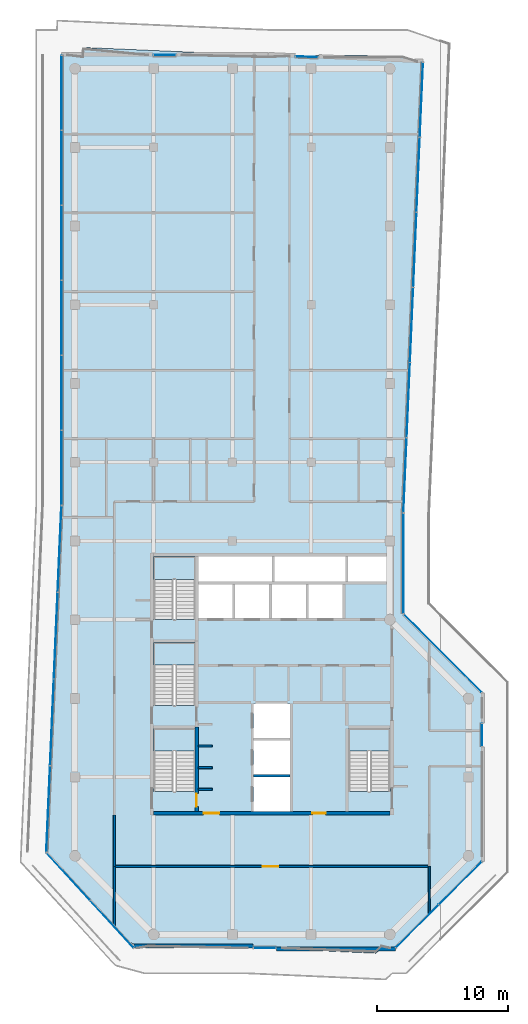
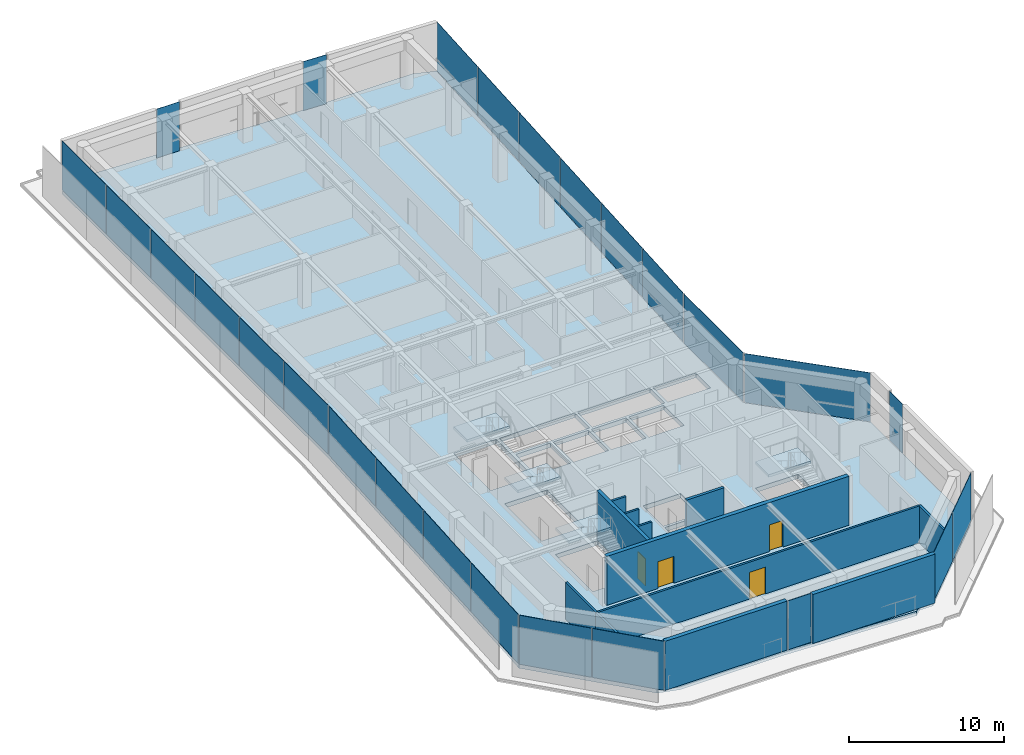
# One storey, part 14 of 19: 26 plates, 12 walls, 5 slabs, 4 doors, 4 openings, 15 elements without a shape of their own.
"""IFC4 building model written with IfcOpenShell, lengths in metres."""

from ifc_helpers import new_model, si_unit, direction, frame, frame_2d, origin, origin_2d, place, context, subcontext, project, spatial, polyline, rectangle, outline, extrude, material, layer, layer_set, type_object, element, fill, aggregate, save


model = new_model("IFC4")

# Units and contexts
model_context = context("Model", 3, precision=1e-05, world=origin(), true_north=direction((0.0, 1.0)))
body_context = subcontext(model_context, "Body", "Model", "MODEL_VIEW")
ifc_project = project(units=[si_unit("LENGTHUNIT", "METRE"), si_unit("AREAUNIT", "SQUARE_METRE"), si_unit("VOLUMEUNIT", "CUBIC_METRE"), si_unit("PLANEANGLEUNIT", "RADIAN"), si_unit("MASSUNIT", "GRAM", prefix="KILO")], contexts=[model_context])

# Site, building, storey
site_placement = place(None, origin())
site = spatial("IfcSite", under=ifc_project, at=site_placement, CompositionType="ELEMENT")
building_placement = place(site_placement, origin())
building = spatial("IfcBuilding", under=site, at=building_placement, Name="Welwitschia Terrace Campus", CompositionType="ELEMENT")
storey_placement = place(building_placement, frame((0.0, 0.0, 276.800048828125)))
storey = spatial("IfcBuildingStorey", under=building, at=storey_placement, Name="L61", CompositionType="ELEMENT", Elevation=276.800048828125)

# Curtain wall, plates
ifc_material_1 = material(Name="Bronze anodised aluminium", Category="aluminium")
ifc_layer_1 = layer(ifc_material_1, 0.1201171875)
ifc_layer_set_1 = layer_set([ifc_layer_1], Name="Bronze anodised aluminium")
curtain_wall_type = type_object("IfcCurtainWallType", Name="Curtain wall CW2 tower 6000", PredefinedType="NOTDEFINED", material=ifc_layer_set_1)
curtain_wall_1_placement = place(storey_placement, origin())
curtain_wall_1 = element("IfcCurtainWall", 1, at=curtain_wall_1_placement, inside=storey, type_object=curtain_wall_type, Name="CW L61.0.0", PredefinedType="NOTDEFINED")
ifc_material_2 = material(Name="Tinted bronze-grey glass", Category="glass")
ifc_layer_2 = layer(ifc_material_2, 0.028076171875)
ifc_layer_set_2 = layer_set([ifc_layer_2], Name="Tinted bronze-grey glass")
plate_type = type_object("IfcPlateType", Name="Glass panel 28 tinted", PredefinedType="CURTAIN_PANEL", material=ifc_layer_set_2)
plate_1_placement = place(storey_placement, frame((-1.175048828125, 25.392822265625, 0.0), z_axis=(0.0, 0.0, 1.0), x_axis=(-0.043619387365, -0.999048221582, 0.0)))
plate_1 = element("IfcPlate", 2, at=plate_1_placement, type_object=plate_type, Name="Panel L61.0.0.0", PredefinedType="CURTAIN_PANEL", context=body_context, shape_type="SweptSolid", body=[
    extrude(rectangle(XDim=6.53173828125, YDim=0.028076171875, at=origin_2d()), origin(), (0.0, 0.0, 1.0), 3.85009765625),
])
plate_2_placement = place(storey_placement, frame((-1.46337890625, 18.792236328125, 0.0), z_axis=(0.0, 0.0, 1.0), x_axis=(-0.043619387365, -0.999048221582, 0.0)))
plate_2 = element("IfcPlate", 3, at=plate_2_placement, type_object=plate_type, Name="Panel L61.0.0.1", PredefinedType="CURTAIN_PANEL", context=body_context, shape_type="SweptSolid", body=[
    extrude(rectangle(XDim=6.561767578125, YDim=0.028076171875, at=origin_2d()), origin(), (0.0, 0.0, 1.0), 3.85009765625),
])
plate_3_placement = place(storey_placement, frame((-1.752197265625, 12.176513671875, 0.0), z_axis=(0.0, 0.0, 1.0), x_axis=(-0.043619387365, -0.999048221582, 0.0)))
plate_3 = element("IfcPlate", 4, at=plate_3_placement, type_object=plate_type, Name="Panel L61.0.0.2", PredefinedType="CURTAIN_PANEL", context=body_context, shape_type="SweptSolid", body=[
    extrude(rectangle(XDim=6.561767578125, YDim=0.028076171875, at=origin_2d()), origin(), (0.0, 0.0, 1.0), 3.85009765625),
])
plate_4_placement = place(storey_placement, frame((-2.040283203125, 5.576171875, 0.0), z_axis=(0.0, 0.0, 1.0), x_axis=(-0.043619387365, -0.999048221582, 0.0)))
plate_4 = element("IfcPlate", 5, at=plate_4_placement, type_object=plate_type, Name="Panel L61.0.0.3", PredefinedType="CURTAIN_PANEL", context=body_context, shape_type="SweptSolid", body=[
    extrude(rectangle(XDim=6.53173828125, YDim=0.028076171875, at=origin_2d()), origin(), (0.0, 0.0, 1.0), 3.85009765625),
])
aggregate(curtain_wall_1, [plate_1, plate_2, plate_3, plate_4])

curtain_wall_2_placement = place(storey_placement, origin())
curtain_wall_2 = element("IfcCurtainWall", 6, at=curtain_wall_2_placement, inside=storey, type_object=curtain_wall_type, Name="CW L61.1.0", PredefinedType="NOTDEFINED")
plate_5_placement = place(storey_placement, frame((-0.5068359375, 0.42138671875, 0.0), z_axis=(0.0, 0.0, 1.0), x_axis=(0.675590207616, -0.73727733681, 0.0)))
plate_5 = element("IfcPlate", 7, at=plate_5_placement, type_object=plate_type, Name="Panel L61.1.0.0", PredefinedType="CURTAIN_PANEL", context=body_context, shape_type="SweptSolid", body=[
    extrude(rectangle(XDim=4.849365234375, YDim=0.028076171875, at=origin_2d()), origin(), (0.0, 0.0, 1.0), 3.85009765625),
])
plate_6_placement = place(storey_placement, frame((2.81005859375, -3.197998046875, 0.0), z_axis=(0.0, 0.0, 1.0), x_axis=(0.675590207616, -0.73727733681, 0.0)))
plate_6 = element("IfcPlate", 8, at=plate_6_placement, type_object=plate_type, Name="Panel L61.1.0.1", PredefinedType="CURTAIN_PANEL", context=body_context, shape_type="SweptSolid", body=[
    extrude(rectangle(XDim=4.849365234375, YDim=0.028076171875, at=origin_2d()), origin(), (0.0, 0.0, 1.0), 3.85009765625),
])
aggregate(curtain_wall_2, [plate_5, plate_6])

# Curtain wall, plate
curtain_wall_3_placement = place(storey_placement, origin())
curtain_wall_3 = element("IfcCurtainWall", 9, at=curtain_wall_3_placement, inside=storey, type_object=curtain_wall_type, Name="CW L61.2.S0", PredefinedType="NOTDEFINED")
plate_7_placement = place(storey_placement, frame((14.45751953125, -5.030029296875, 0.0), z_axis=(0.0, 0.0, 1.0), x_axis=(1.0, 0.0, 0.0)))
plate_7 = element("IfcPlate", 10, at=plate_7_placement, type_object=plate_type, Name="Panel L61.2.S0.0", PredefinedType="CURTAIN_PANEL", context=body_context, shape_type="SweptSolid", body=[
    extrude(rectangle(XDim=1.679931640625, YDim=0.028076171875, at=origin_2d()), origin(), (0.0, 0.0, 1.0), 3.85009765625),
])
aggregate(curtain_wall_3, [plate_7])

# Curtain wall, plates
curtain_wall_4_placement = place(storey_placement, origin())
curtain_wall_4 = element("IfcCurtainWall", 11, at=curtain_wall_4_placement, inside=storey, type_object=curtain_wall_type, Name="CW L61.3.0", PredefinedType="NOTDEFINED")
plate_8_placement = place(storey_placement, frame((26.088134765625, -3.36865234375, 0.0), z_axis=(0.0, 0.0, 1.0), x_axis=(0.707106781187, 0.707106781187, 0.0)))
plate_8 = element("IfcPlate", 12, at=plate_8_placement, type_object=plate_type, Name="Panel L61.3.0.0", PredefinedType="CURTAIN_PANEL", context=body_context, shape_type="SweptSolid", body=[
    extrude(rectangle(XDim=4.579345703125, YDim=0.028076171875, at=origin_2d()), origin(), (0.0, 0.0, 1.0), 3.85009765625),
])
plate_9_placement = place(storey_placement, frame((29.36865234375, -0.088134765625, 0.0), z_axis=(0.0, 0.0, 1.0), x_axis=(0.707106781187, 0.707106781187, 0.0)))
plate_9 = element("IfcPlate", 13, at=plate_9_placement, type_object=plate_type, Name="Panel L61.3.0.1", PredefinedType="CURTAIN_PANEL", context=body_context, shape_type="SweptSolid", body=[
    extrude(rectangle(XDim=4.579345703125, YDim=0.028076171875, at=origin_2d()), origin(), (0.0, 0.0, 1.0), 3.85009765625),
])
aggregate(curtain_wall_4, [plate_8, plate_9])

# Curtain wall, plate
curtain_wall_5_placement = place(storey_placement, origin())
curtain_wall_5 = element("IfcCurtainWall", 14, at=curtain_wall_5_placement, inside=storey, type_object=curtain_wall_type, Name="CW L61.4.S0", PredefinedType="NOTDEFINED")
plate_10_placement = place(storey_placement, frame((31.030029296875, 11.21337890625, 0.0), z_axis=(0.0, 0.0, 1.0), x_axis=(0.0, 1.0, 0.0)))
plate_10 = element("IfcPlate", 15, at=plate_10_placement, type_object=plate_type, Name="Panel L61.4.S0.0", PredefinedType="CURTAIN_PANEL", context=body_context, shape_type="SweptSolid", body=[
    extrude(rectangle(XDim=1.679931640625, YDim=0.028076171875, at=origin_2d()), origin(), (0.0, 0.0, 1.0), 3.85009765625),
])
aggregate(curtain_wall_5, [plate_10])

curtain_wall_6_placement = place(storey_placement, origin())
curtain_wall_6 = element("IfcCurtainWall", 16, at=curtain_wall_6_placement, inside=storey, type_object=curtain_wall_type, Name="CW L61.5.0", PredefinedType="NOTDEFINED")
plate_11_placement = place(storey_placement, frame((28.030029296875, 17.4267578125, 0.0), z_axis=(0.0, 0.0, 1.0), x_axis=(-0.707106781187, 0.707106781187, 0.0)))
plate_11 = element("IfcPlate", 17, at=plate_11_placement, type_object=plate_type, Name="Panel L61.5.0.0", PredefinedType="CURTAIN_PANEL", context=body_context, shape_type="SweptSolid", body=[
    extrude(rectangle(XDim=8.365234375, YDim=0.028076171875, at=origin_2d()), origin(), (0.0, 0.0, 1.0), 3.85009765625),
])
aggregate(curtain_wall_6, [plate_11])

curtain_wall_7_placement = place(storey_placement, origin())
curtain_wall_7 = element("IfcCurtainWall", 18, at=curtain_wall_7_placement, inside=storey, type_object=curtain_wall_type, Name="CW L61.6.0", PredefinedType="NOTDEFINED")
plate_12_placement = place(storey_placement, frame((25.030029296875, 24.28662109375, 0.0), z_axis=(0.0, 0.0, 1.0), x_axis=(0.0, 1.0, 0.0)))
plate_12 = element("IfcPlate", 19, at=plate_12_placement, type_object=plate_type, Name="Panel L61.6.0.0", PredefinedType="CURTAIN_PANEL", context=body_context, shape_type="SweptSolid", body=[
    extrude(rectangle(XDim=7.60009765625, YDim=0.028076171875, at=origin_2d()), origin(), (0.0, 0.0, 1.0), 3.85009765625),
])
aggregate(curtain_wall_7, [plate_12])

# Curtain wall, plates
curtain_wall_8_placement = place(storey_placement, origin())
curtain_wall_8 = element("IfcCurtainWall", 20, at=curtain_wall_8_placement, inside=storey, type_object=curtain_wall_type, Name="CW L61.7.0", PredefinedType="NOTDEFINED")
plate_13_placement = place(storey_placement, frame((25.15576171875, 31.025146484375, 0.0), z_axis=(0.0, 0.0, 1.0), x_axis=(0.043619387365, 0.999048221582, 0.0)))
plate_13 = element("IfcPlate", 21, at=plate_13_placement, type_object=plate_type, Name="Panel L61.7.0.0", PredefinedType="CURTAIN_PANEL", context=body_context, shape_type="SweptSolid", body=[
    extrude(rectangle(XDim=5.64208984375, YDim=0.028076171875, at=origin_2d()), origin(), (0.0, 0.0, 1.0), 3.85009765625),
])
plate_14_placement = place(storey_placement, frame((25.405029296875, 36.73681640625, 0.0), z_axis=(0.0, 0.0, 1.0), x_axis=(0.043619387365, 0.999048221582, 0.0)))
plate_14 = element("IfcPlate", 22, at=plate_14_placement, type_object=plate_type, Name="Panel L61.7.0.1", PredefinedType="CURTAIN_PANEL", context=body_context, shape_type="SweptSolid", body=[
    extrude(rectangle(XDim=5.672119140625, YDim=0.028076171875, at=origin_2d()), origin(), (0.0, 0.0, 1.0), 3.85009765625),
])
plate_15_placement = place(storey_placement, frame((25.655029296875, 42.463623046875, 0.0), z_axis=(0.0, 0.0, 1.0), x_axis=(0.043619387365, 0.999048221582, 0.0)))
plate_15 = element("IfcPlate", 23, at=plate_15_placement, type_object=plate_type, Name="Panel L61.7.0.2", PredefinedType="CURTAIN_PANEL", context=body_context, shape_type="SweptSolid", body=[
    extrude(rectangle(XDim=5.672119140625, YDim=0.028076171875, at=origin_2d()), origin(), (0.0, 0.0, 1.0), 3.85009765625),
])
plate_16_placement = place(storey_placement, frame((25.905029296875, 48.1904296875, 0.0), z_axis=(0.0, 0.0, 1.0), x_axis=(0.043619387365, 0.999048221582, 0.0)))
plate_16 = element("IfcPlate", 24, at=plate_16_placement, type_object=plate_type, Name="Panel L61.7.0.3", PredefinedType="CURTAIN_PANEL", context=body_context, shape_type="SweptSolid", body=[
    extrude(rectangle(XDim=5.672119140625, YDim=0.028076171875, at=origin_2d()), origin(), (0.0, 0.0, 1.0), 3.85009765625),
])
plate_17_placement = place(storey_placement, frame((26.1552734375, 53.9169921875, 0.0), z_axis=(0.0, 0.0, 1.0), x_axis=(0.043619387365, 0.999048221582, 0.0)))
plate_17 = element("IfcPlate", 25, at=plate_17_placement, type_object=plate_type, Name="Panel L61.7.0.4", PredefinedType="CURTAIN_PANEL", context=body_context, shape_type="SweptSolid", body=[
    extrude(rectangle(XDim=5.672119140625, YDim=0.028076171875, at=origin_2d()), origin(), (0.0, 0.0, 1.0), 3.85009765625),
])
plate_18_placement = place(storey_placement, frame((26.404541015625, 59.62890625, 0.0), z_axis=(0.0, 0.0, 1.0), x_axis=(0.043619387365, 0.999048221582, 0.0)))
plate_18 = element("IfcPlate", 26, at=plate_18_placement, type_object=plate_type, Name="Panel L61.7.0.5", PredefinedType="CURTAIN_PANEL", context=body_context, shape_type="SweptSolid", body=[
    extrude(rectangle(XDim=5.64208984375, YDim=0.028076171875, at=origin_2d()), origin(), (0.0, 0.0, 1.0), 3.85009765625),
])
aggregate(curtain_wall_8, [plate_13, plate_14, plate_15, plate_16, plate_17, plate_18])

# Curtain wall, plate
curtain_wall_9_placement = place(storey_placement, origin())
curtain_wall_9 = element("IfcCurtainWall", 27, at=curtain_wall_9_placement, inside=storey, type_object=curtain_wall_type, Name="CW L61.8.S0", PredefinedType="NOTDEFINED")
plate_19_placement = place(storey_placement, frame((17.67919921875, 62.8994140625, 0.0), z_axis=(0.0, 0.0, 1.0), x_axis=(-0.999020079592, 0.044259242784, 0.0)))
plate_19 = element("IfcPlate", 28, at=plate_19_placement, type_object=plate_type, Name="Panel L61.8.S0.0", PredefinedType="CURTAIN_PANEL", context=body_context, shape_type="SweptSolid", body=[
    extrude(rectangle(XDim=1.679931640625, YDim=0.028076171875, at=origin_2d()), origin(), (0.0, 0.0, 1.0), 3.85009765625),
])
aggregate(curtain_wall_9, [plate_19])

curtain_wall_10_placement = place(storey_placement, origin())
curtain_wall_10 = element("IfcCurtainWall", 29, at=curtain_wall_10_placement, inside=storey, type_object=curtain_wall_type, Name="CW L61.9.S0", PredefinedType="NOTDEFINED")
plate_20_placement = place(storey_placement, frame((6.849365234375, 63.030029296875, 0.0), z_axis=(0.0, 0.0, 1.0), x_axis=(-1.0, 0.0, 0.0)))
plate_20 = element("IfcPlate", 30, at=plate_20_placement, type_object=plate_type, Name="Panel L61.9.S0.0", PredefinedType="CURTAIN_PANEL", context=body_context, shape_type="SweptSolid", body=[
    extrude(rectangle(XDim=1.679931640625, YDim=0.028076171875, at=origin_2d()), origin(), (0.0, 0.0, 1.0), 3.85009765625),
])
aggregate(curtain_wall_10, [plate_20])

# Curtain wall, plates
curtain_wall_11_placement = place(storey_placement, origin())
curtain_wall_11 = element("IfcCurtainWall", 31, at=curtain_wall_11_placement, inside=storey, type_object=curtain_wall_type, Name="CW L61.10.0", PredefinedType="NOTDEFINED")
plate_21_placement = place(storey_placement, frame((-1.030029296875, 60.155517578125, 0.0), z_axis=(0.0, 0.0, 1.0), x_axis=(0.0, -1.0, 0.0)))
plate_21 = element("IfcPlate", 32, at=plate_21_placement, type_object=plate_type, Name="Panel L61.10.0.0", PredefinedType="CURTAIN_PANEL", context=body_context, shape_type="SweptSolid", body=[
    extrude(rectangle(XDim=5.629150390625, YDim=0.028076171875, at=origin_2d()), origin(), (0.0, 0.0, 1.0), 3.85009765625),
])
plate_22_placement = place(storey_placement, frame((-1.030029296875, 54.451416015625, 0.0), z_axis=(0.0, 0.0, 1.0), x_axis=(0.0, -1.0, 0.0)))
plate_22 = element("IfcPlate", 33, at=plate_22_placement, type_object=plate_type, Name="Panel L61.10.0.1", PredefinedType="CURTAIN_PANEL", context=body_context, shape_type="SweptSolid", body=[
    extrude(rectangle(XDim=5.6591796875, YDim=0.028076171875, at=origin_2d()), origin(), (0.0, 0.0, 1.0), 3.85009765625),
])
plate_23_placement = place(storey_placement, frame((-1.030029296875, 48.732177734375, 0.0), z_axis=(0.0, 0.0, 1.0), x_axis=(0.0, -1.0, 0.0)))
plate_23 = element("IfcPlate", 34, at=plate_23_placement, type_object=plate_type, Name="Panel L61.10.0.2", PredefinedType="CURTAIN_PANEL", context=body_context, shape_type="SweptSolid", body=[
    extrude(rectangle(XDim=5.6591796875, YDim=0.028076171875, at=origin_2d()), origin(), (0.0, 0.0, 1.0), 3.85009765625),
])
plate_24_placement = place(storey_placement, frame((-1.030029296875, 43.01318359375, 0.0), z_axis=(0.0, 0.0, 1.0), x_axis=(0.0, -1.0, 0.0)))
plate_24 = element("IfcPlate", 35, at=plate_24_placement, type_object=plate_type, Name="Panel L61.10.0.3", PredefinedType="CURTAIN_PANEL", context=body_context, shape_type="SweptSolid", body=[
    extrude(rectangle(XDim=5.6591796875, YDim=0.028076171875, at=origin_2d()), origin(), (0.0, 0.0, 1.0), 3.85009765625),
])
plate_25_placement = place(storey_placement, frame((-1.030029296875, 37.294189453125, 0.0), z_axis=(0.0, 0.0, 1.0), x_axis=(0.0, -1.0, 0.0)))
plate_25 = element("IfcPlate", 36, at=plate_25_placement, type_object=plate_type, Name="Panel L61.10.0.4", PredefinedType="CURTAIN_PANEL", context=body_context, shape_type="SweptSolid", body=[
    extrude(rectangle(XDim=5.6591796875, YDim=0.028076171875, at=origin_2d()), origin(), (0.0, 0.0, 1.0), 3.85009765625),
])
plate_26_placement = place(storey_placement, frame((-1.030029296875, 31.590087890625, 0.0), z_axis=(0.0, 0.0, 1.0), x_axis=(0.0, -1.0, 0.0)))
plate_26 = element("IfcPlate", 37, at=plate_26_placement, type_object=plate_type, Name="Panel L61.10.0.5", PredefinedType="CURTAIN_PANEL", context=body_context, shape_type="SweptSolid", body=[
    extrude(rectangle(XDim=5.629150390625, YDim=0.028076171875, at=origin_2d()), origin(), (0.0, 0.0, 1.0), 3.85009765625),
])
aggregate(curtain_wall_11, [plate_21, plate_22, plate_23, plate_24, plate_25, plate_26])

# Stair, slab
ifc_material_3 = material(Name="Concrete C40/50", Category="concrete")
stair_type = type_object("IfcStairType", Name="Stair 24R 175 W1500", PredefinedType="HALF_TURN_STAIR", material=ifc_material_3)
stair_1_placement = place(storey_placement, origin())
stair_1 = element("IfcStair", 38, at=stair_1_placement, inside=storey, type_object=stair_type, Name="L61 Exit stair S1", PredefinedType="HALF_TURN_STAIR")
ifc_material_4 = material(Name="Concrete C40/50", Category="concrete")
ifc_layer_3 = layer(ifc_material_4, 0.199951171875)
ifc_layer_set_3 = layer_set([ifc_layer_3], Name="Concrete C40/50")
slab_type_1 = type_object("IfcSlabType", Name="Stair landing RC", PredefinedType="LANDING", material=ifc_layer_set_3)
slab_1_placement = place(storey_placement, frame((0.0, 0.0, 1.89990234375)))
slab_1 = element("IfcSlab", 39, at=slab_1_placement, type_object=slab_type_1, Name="S1 landing 1", PredefinedType="LANDING", context=body_context, shape_type="SweptSolid", body=[
    extrude(outline(polyline([(9.14990234375, 9.97998046875), (9.14990234375, 11.699951171875), (6.0, 11.699951171875), (6.0, 9.97998046875), (9.14990234375, 9.97998046875)])), origin(), (0.0, 0.0, 1.0), 0.199951171875),
])
aggregate(stair_1, [slab_1])

stair_2_placement = place(storey_placement, origin())
stair_2 = element("IfcStair", 40, at=stair_2_placement, inside=storey, type_object=stair_type, Name="L61 Exit stair S3", PredefinedType="HALF_TURN_STAIR")
slab_2_placement = place(storey_placement, frame((0.0, 0.0, 1.89990234375)))
slab_2 = element("IfcSlab", 41, at=slab_2_placement, type_object=slab_type_1, Name="S3 landing 1", PredefinedType="LANDING", context=body_context, shape_type="SweptSolid", body=[
    extrude(outline(polyline([(9.14990234375, 16.530029296875), (9.14990234375, 18.25), (6.0, 18.25), (6.0, 16.530029296875), (9.14990234375, 16.530029296875)])), origin(), (0.0, 0.0, 1.0), 0.199951171875),
])
aggregate(stair_2, [slab_2])

stair_3_placement = place(storey_placement, origin())
stair_3 = element("IfcStair", 42, at=stair_3_placement, inside=storey, type_object=stair_type, Name="L61 Exit stair S4", PredefinedType="HALF_TURN_STAIR")
slab_3_placement = place(storey_placement, frame((0.0, 0.0, 1.89990234375)))
slab_3 = element("IfcSlab", 43, at=slab_3_placement, type_object=slab_type_1, Name="S4 landing 1", PredefinedType="LANDING", context=body_context, shape_type="SweptSolid", body=[
    extrude(outline(polyline([(9.14990234375, 23.080078125), (9.14990234375, 24.800048828125), (6.0, 24.800048828125), (6.0, 23.080078125), (9.14990234375, 23.080078125)])), origin(), (0.0, 0.0, 1.0), 0.199951171875),
])
aggregate(stair_3, [slab_3])

stair_4_placement = place(storey_placement, origin())
stair_4 = element("IfcStair", 44, at=stair_4_placement, inside=storey, type_object=stair_type, Name="L61 Exit stair S2", PredefinedType="HALF_TURN_STAIR")
slab_4_placement = place(storey_placement, frame((0.0, 0.0, 1.89990234375)))
slab_4 = element("IfcSlab", 45, at=slab_4_placement, type_object=slab_type_1, Name="S2 landing 1", PredefinedType="LANDING", context=body_context, shape_type="SweptSolid", body=[
    extrude(outline(polyline([(24.0, 9.97998046875), (24.0, 11.699951171875), (20.85009765625, 11.699951171875), (20.85009765625, 9.97998046875), (24.0, 9.97998046875)])), origin(), (0.0, 0.0, 1.0), 0.199951171875),
])
aggregate(stair_4, [slab_4])

# Slab
ifc_material_5 = material(Name="Concrete C40/50", Category="concrete")
ifc_layer_4 = layer(ifc_material_5, 0.35009765625)
ifc_layer_set_4 = layer_set([ifc_layer_4], Name="Concrete C40/50")
slab_type_2 = type_object("IfcSlabType", Name="Suspended floor slab 350", PredefinedType="FLOOR", material=ifc_layer_set_4)
slab_5_placement = place(storey_placement, frame((0.0, 0.0, -0.35009765625)))
element("IfcSlab", 46, at=slab_5_placement, inside=storey, type_object=slab_type_2, Name="Floor slab L61", PredefinedType="FLOOR", context=body_context, shape_type="SweptSolid", body=[
    extrude(outline(polyline([(0.496826171875, 63.0), (0.52392578125, 63.6201171875), (14.728271484375, 63.0), (25.0, 63.0), (26.499267578125, 62.486083984375), (25.0, 28.1474609375), (25.0, 20.414306640625), (31.0, 14.414306640625), (31.0, 1.585693359375), (24.414306640625, -5.0), (23.41015625, -5.0), (22.947998046875, -5.423583984375), (13.244384765625, -5.0), (5.585693359375, -5.0), (4.137451171875, -4.602294921875), (-2.15478515625, 2.264404296875), (-1.0, 28.71484375), (-1.0, 63.0), (0.496826171875, 63.0)]), holes=[polyline([(13.60009765625, 8.0), (13.60009765625, 5.39990234375), (16.39990234375, 5.39990234375), (16.39990234375, 8.0), (13.60009765625, 8.0)]), polyline([(9.14990234375, 11.699951171875), (6.0, 11.699951171875), (6.0, 6.902099609375), (9.14990234375, 6.902099609375), (9.14990234375, 11.699951171875)]), polyline([(9.14990234375, 18.25), (6.0, 18.25), (6.0, 13.451904296875), (9.14990234375, 13.451904296875), (9.14990234375, 18.25)]), polyline([(12.0, 22.699951171875), (9.39990234375, 22.699951171875), (9.39990234375, 20.10009765625), (12.0, 20.10009765625), (12.0, 22.699951171875)]), polyline([(14.800048828125, 22.699951171875), (12.199951171875, 22.699951171875), (12.199951171875, 20.10009765625), (14.800048828125, 20.10009765625), (14.800048828125, 22.699951171875)]), polyline([(9.14990234375, 24.800048828125), (6.0, 24.800048828125), (6.0, 20.001953125), (9.14990234375, 20.001953125), (9.14990234375, 24.800048828125)]), polyline([(15.0, 24.800048828125), (9.39990234375, 24.800048828125), (9.39990234375, 22.89990234375), (15.0, 22.89990234375), (15.0, 24.800048828125)]), polyline([(20.85009765625, 11.699951171875), (20.85009765625, 6.902099609375), (24.0, 6.902099609375), (24.0, 11.699951171875), (20.85009765625, 11.699951171875)]), polyline([(16.39990234375, 10.800048828125), (13.60009765625, 10.800048828125), (13.60009765625, 8.199951171875), (16.39990234375, 8.199951171875), (16.39990234375, 10.800048828125)]), polyline([(16.39990234375, 13.60009765625), (13.60009765625, 13.60009765625), (13.60009765625, 11.0), (16.39990234375, 11.0), (16.39990234375, 13.60009765625)]), polyline([(17.60009765625, 22.699951171875), (15.0, 22.699951171875), (15.0, 20.10009765625), (17.60009765625, 20.10009765625), (17.60009765625, 22.699951171875)]), polyline([(20.39990234375, 22.699951171875), (17.800048828125, 22.699951171875), (17.800048828125, 20.10009765625), (20.39990234375, 20.10009765625), (20.39990234375, 22.699951171875)]), polyline([(20.60009765625, 24.800048828125), (15.199951171875, 24.800048828125), (15.199951171875, 22.89990234375), (20.60009765625, 22.89990234375), (20.60009765625, 24.800048828125)]), polyline([(24.0, 24.800048828125), (20.800048828125, 24.800048828125), (20.800048828125, 22.89990234375), (24.0, 22.89990234375), (24.0, 24.800048828125)])]), origin(), (0.0, 0.0, 1.0), 0.35009765625),
])

# Walls
ifc_material_6 = material(Name="Concrete C50/60", Category="concrete")
ifc_layer_5 = layer(ifc_material_6, 0.14990234375)
ifc_layer_set_5 = layer_set([ifc_layer_5], Name="Concrete C50/60")
wall_type_1 = type_object("IfcWallType", Name="Core wall 150 Concrete C50/60", PredefinedType="SHEAR", material=ifc_layer_set_5)
for number, where, z_axis, x_axis, name in (
    (47, (9.39990234375, 7.074951171875, 0.0), (0.0, 0.0, 1.0), (1.0, 0.0, 0.0), "Core wall"),
    (48, (9.39990234375, 8.72509765625, 0.0), (0.0, 0.0, 1.0), (1.0, 0.0, 0.0), "Core wall"),
    (49, (9.39990234375, 10.375, 0.0), (0.0, 0.0, 1.0), (1.0, 0.0, 0.0), "Core wall"),
):
    element("IfcWall", number, at=place(storey_placement, frame(where, z_axis=z_axis, x_axis=x_axis)), inside=storey, type_object=wall_type_1, Name=name, PredefinedType="SHEAR", context=body_context, shape_type="SweptSolid", body=[
        extrude(rectangle(XDim=1.050048828125, YDim=0.14990234375, at=frame_2d((0.52490234375, 0.0))), origin(), (0.0, 0.0, 1.0), 3.849853515625),
    ])
ifc_material_7 = material(Name="Concrete C50/60", Category="concrete")
ifc_layer_6 = layer(ifc_material_7, 0.199951171875)
ifc_layer_set_6 = layer_set([ifc_layer_6], Name="Concrete C50/60")
wall_type_2 = type_object("IfcWallType", Name="Core wall 200 Concrete C50/60", PredefinedType="SHEAR", material=ifc_layer_set_6)
wall_1_placement = place(storey_placement, frame((13.60009765625, 8.10009765625, 0.0), z_axis=(0.0, 0.0, 1.0), x_axis=(1.0, 0.0, 0.0)))
element("IfcWall", 50, at=wall_1_placement, inside=storey, type_object=wall_type_2, Name="Core wall", PredefinedType="SHEAR", context=body_context, shape_type="SweptSolid", body=[
    extrude(rectangle(XDim=2.7998046875, YDim=0.199951171875, at=frame_2d((1.39990234375, 0.0))), origin(), (0.0, 0.0, 1.0), 3.849853515625),
])

# Wall, opening, door
ifc_material_8 = material(Name="Concrete C50/60", Category="concrete")
ifc_layer_7 = layer(ifc_material_8, 0.25)
ifc_layer_set_7 = layer_set([ifc_layer_7], Name="Concrete C50/60")
wall_type_3 = type_object("IfcWallType", Name="Core wall 250 Concrete C50/60", PredefinedType="SHEAR", material=ifc_layer_set_7)
wall_2_placement = place(storey_placement, frame((9.27490234375, 11.824951171875, 0.0), z_axis=(0.0, 0.0, 1.0), x_axis=(0.0, -1.0, 0.0)))
wall_2 = element("IfcWall", 51, at=wall_2_placement, inside=storey, type_object=wall_type_3, Name="Core wall", PredefinedType="SHEAR", context=body_context, shape_type="SweptSolid", body=[
    extrude(rectangle(XDim=6.425048828125, YDim=0.25, at=frame_2d((3.21240234375, 0.0))), origin(), (0.0, 0.0, 1.0), 3.849853515625),
])
opening_1_placement = place(wall_2_placement, frame((5.074951171875, 0.0, 0.0)))
opening_1 = element("IfcOpeningElement", 52, at=opening_1_placement, cuts=wall_2, Name="Opening DS10", PredefinedType="OPENING", context=body_context, shape_type="SweptSolid", body=[
    extrude(rectangle(XDim=1.0, YDim=2.10009765625, at=frame_2d((0.5, 1.050048828125))), frame((0.0, 0.135009765625, 0.0), z_axis=(0.0, -1.0, 0.0), x_axis=(1.0, 0.0, 0.0)), (0.0, 0.0, 1.0), 0.27001953125),
])
ifc_material_9 = material(Name="Steel S275", Category="steel")
door_type_1 = type_object("IfcDoorType", Name="Core door DS10", OperationType="SINGLE_SWING_LEFT", PredefinedType="DOOR", material=ifc_material_9)
door_1_placement = place(opening_1_placement, origin())
door_1 = element("IfcDoor", 53, at=door_1_placement, inside=storey, type_object=door_type_1, Name="Door S1-FL", OperationType="SINGLE_SWING_RIGHT", OverallHeight=2.10009765625, OverallWidth=1.0, PredefinedType="DOOR", context=body_context, shape_type="SweptSolid", body=[
    extrude(rectangle(XDim=1.0, YDim=2.10009765625, at=frame_2d((0.5, 1.050048828125))), frame((0.0, 0.02490234375, 0.0), z_axis=(0.0, -1.0, 0.0), x_axis=(1.0, 0.0, 0.0)), (0.0, 0.0, 1.0), 0.050048828125),
])
fill(opening_1, door_1)

# Wall, openings, doors
ifc_material_10 = material(Name="Concrete C50/60", Category="concrete")
ifc_layer_8 = layer(ifc_material_10, 0.300048828125)
ifc_layer_set_8 = layer_set([ifc_layer_8], Name="Concrete C50/60")
wall_type_4 = type_object("IfcWallType", Name="Core wall 300 Concrete C50/60", PredefinedType="SHEAR", material=ifc_layer_set_8)
wall_3_placement = place(storey_placement, frame((24.0, 5.25, 0.0), z_axis=(0.0, 0.0, 1.0), x_axis=(-1.0, 0.0, 0.0)))
wall_3 = element("IfcWall", 54, at=wall_3_placement, inside=storey, type_object=wall_type_4, Name="Core outer wall", PredefinedType="SHEAR", context=body_context, shape_type="SweptSolid", body=[
    extrude(rectangle(XDim=18.0, YDim=0.300048828125, at=frame_2d((9.0, 0.0))), origin(), (0.0, 0.0, 1.0), 3.849853515625),
])
opening_2_placement = place(wall_3_placement, frame((13.0, 0.0, 0.0)))
opening_2 = element("IfcOpeningElement", 55, at=opening_2_placement, cuts=wall_3, Name="Opening DF12", PredefinedType="OPENING", context=body_context, shape_type="SweptSolid", body=[
    extrude(rectangle(XDim=1.199951171875, YDim=2.10009765625, at=frame_2d((0.60009765625, 1.050048828125))), frame((0.0, 0.159912109375, 0.0), z_axis=(0.0, -1.0, 0.0), x_axis=(1.0, 0.0, 0.0)), (0.0, 0.0, 1.0), 0.320068359375),
])
opening_3_placement = place(wall_3_placement, frame((4.89990234375, 0.0, 0.0)))
opening_3 = element("IfcOpeningElement", 56, at=opening_3_placement, cuts=wall_3, Name="Opening DR10", PredefinedType="OPENING", context=body_context, shape_type="SweptSolid", body=[
    extrude(rectangle(XDim=1.0, YDim=2.10009765625, at=frame_2d((0.5, 1.050048828125))), frame((0.0, 0.159912109375, 0.0), z_axis=(0.0, -1.0, 0.0), x_axis=(1.0, 0.0, 0.0)), (0.0, 0.0, 1.0), 0.320068359375),
])
ifc_material_11 = material(Name="Steel S275", Category="steel")
door_type_2 = type_object("IfcDoorType", Name="Core door DF12", OperationType="SINGLE_SWING_LEFT", PredefinedType="DOOR", material=ifc_material_11)
door_2_placement = place(opening_2_placement, origin())
door_2 = element("IfcDoor", 57, at=door_2_placement, inside=storey, type_object=door_type_2, Name="Door FL-out", OperationType="SINGLE_SWING_RIGHT", OverallHeight=2.10009765625, OverallWidth=1.199951171875, PredefinedType="DOOR", context=body_context, shape_type="SweptSolid", body=[
    extrude(rectangle(XDim=1.199951171875, YDim=2.10009765625, at=frame_2d((0.60009765625, 1.050048828125))), frame((0.0, 0.02490234375, 0.0), z_axis=(0.0, -1.0, 0.0), x_axis=(1.0, 0.0, 0.0)), (0.0, 0.0, 1.0), 0.050048828125),
])
fill(opening_2, door_2)
ifc_material_12 = material(Name="Steel S275", Category="steel")
door_type_3 = type_object("IfcDoorType", Name="Core door DR10", OperationType="SINGLE_SWING_LEFT", PredefinedType="DOOR", material=ifc_material_12)
door_3_placement = place(opening_3_placement, origin())
door_3 = element("IfcDoor", 58, at=door_3_placement, inside=storey, type_object=door_type_3, Name="Door F1-out", OperationType="SINGLE_SWING_LEFT", OverallHeight=2.10009765625, OverallWidth=1.0, PredefinedType="DOOR", context=body_context, shape_type="SweptSolid", body=[
    extrude(rectangle(XDim=1.0, YDim=2.10009765625, at=frame_2d((0.5, 1.050048828125))), frame((0.0, 0.02490234375, 0.0), z_axis=(0.0, -1.0, 0.0), x_axis=(1.0, 0.0, 0.0)), (0.0, 0.0, 1.0), 0.050048828125),
])
fill(opening_3, door_3)

# Walls
ifc_material_13 = material(Name="Gypsum board on steel studs", Category="steel")
ifc_layer_9 = layer(ifc_material_13, 0.14990234375)
ifc_layer_set_9 = layer_set([ifc_layer_9], Name="Gypsum board on steel studs")
wall_type_5 = type_object("IfcWallType", Name="Corridor partition 150 EI 30", PredefinedType="PARTITIONING", material=ifc_layer_set_9)
wall_4_placement = place(storey_placement, frame((3.0, -3.330078125, 0.0), z_axis=(0.0, 0.0, 1.0), x_axis=(0.0, 1.0, 0.0)))
element("IfcWall", 59, at=wall_4_placement, inside=storey, type_object=wall_type_5, Name="Partition", PredefinedType="PARTITIONING", context=body_context, shape_type="SweptSolid", body=[
    extrude(rectangle(XDim=4.530029296875, YDim=0.14990234375, at=frame_2d((2.26513671875, 0.0))), origin(), (0.0, 0.0, 1.0), 2.89990234375),
])
wall_5_placement = place(storey_placement, frame((3.0, 1.199951171875, 0.0), z_axis=(0.0, 0.0, 1.0), x_axis=(0.0, 1.0, 0.0)))
element("IfcWall", 60, at=wall_5_placement, inside=storey, type_object=wall_type_5, Name="Partition", PredefinedType="PARTITIONING", context=body_context, shape_type="SweptSolid", body=[
    extrude(rectangle(XDim=3.900146484375, YDim=0.14990234375, at=frame_2d((1.9501953125, 0.0))), origin(), (0.0, 0.0, 1.0), 2.89990234375),
])
wall_6_placement = place(storey_placement, frame((27.0, -2.389892578125, 0.0), z_axis=(0.0, 0.0, 1.0), x_axis=(0.0, 1.0, 0.0)))
element("IfcWall", 61, at=wall_6_placement, inside=storey, type_object=wall_type_5, Name="Partition", PredefinedType="PARTITIONING", context=body_context, shape_type="SweptSolid", body=[
    extrude(rectangle(XDim=3.58984375, YDim=0.14990234375, at=frame_2d((1.794921875, 0.0))), origin(), (0.0, 0.0, 1.0), 2.89990234375),
])

# Wall, opening, door
wall_7_placement = place(storey_placement, frame((27.0, 1.199951171875, 0.0), z_axis=(0.0, 0.0, 1.0), x_axis=(-1.0, 0.0, 0.0)))
wall_7 = element("IfcWall", 62, at=wall_7_placement, inside=storey, type_object=wall_type_5, Name="Partition", PredefinedType="PARTITIONING", context=body_context, shape_type="SweptSolid", body=[
    extrude(rectangle(XDim=24.0, YDim=0.14990234375, at=frame_2d((12.0, 0.0))), origin(), (0.0, 0.0, 1.0), 2.89990234375),
])
opening_4_placement = place(wall_7_placement, frame((11.5, 0.0, 0.0)))
opening_4 = element("IfcOpeningElement", 63, at=opening_4_placement, cuts=wall_7, Name="Opening DI12", PredefinedType="OPENING", context=body_context, shape_type="SweptSolid", body=[
    extrude(rectangle(XDim=1.199951171875, YDim=2.10009765625, at=frame_2d((0.60009765625, 1.050048828125))), frame((0.0, 0.0849609375, 0.0), z_axis=(0.0, -1.0, 0.0), x_axis=(1.0, 0.0, 0.0)), (0.0, 0.0, 1.0), 0.169921875),
])
ifc_material_14 = material(Name="Timber veneered door", Category="wood")
door_type_4 = type_object("IfcDoorType", Name="Interior door DI12", OperationType="NOTDEFINED", PredefinedType="DOOR", material=ifc_material_14)
door_4_placement = place(opening_4_placement, origin())
door_4 = element("IfcDoor", 64, at=door_4_placement, inside=storey, type_object=door_type_4, Name="Door L61 1101", OperationType="SINGLE_SWING_RIGHT", OverallHeight=2.10009765625, OverallWidth=1.199951171875, PredefinedType="DOOR", context=body_context, shape_type="SweptSolid", body=[
    extrude(rectangle(XDim=1.199951171875, YDim=2.10009765625, at=frame_2d((0.60009765625, 1.050048828125))), frame((0.0, 0.02490234375, 0.0), z_axis=(0.0, -1.0, 0.0), x_axis=(1.0, 0.0, 0.0)), (0.0, 0.0, 1.0), 0.050048828125),
])
fill(opening_4, door_4)

# Walls
ifc_material_15 = material(Name="Concrete C40/50", Category="concrete")
ifc_layer_10 = layer(ifc_material_15, 0.300048828125)
ifc_layer_set_10 = layer_set([ifc_layer_10], Name="Concrete C40/50")
wall_type_6 = type_object("IfcWallType", Name="Mass wall 300", PredefinedType="SOLIDWALL", material=ifc_layer_set_10)
wall_8_placement = place(storey_placement, frame((4.488525390625, -4.8798828125, 0.0), z_axis=(0.0, 0.0, 1.0), x_axis=(1.0, 0.0, 0.0)))
element("IfcWall", 65, at=wall_8_placement, inside=storey, type_object=wall_type_6, Name="Mass wall L61.2.0", PredefinedType="SOLIDWALL", context=body_context, shape_type="SweptSolid", body=[
    extrude(rectangle(XDim=9.069091796875, YDim=0.300048828125, at=frame_2d((4.53466796875, 0.0))), origin(), (0.0, 0.0, 1.0), 3.849853515625),
])
wall_9_placement = place(storey_placement, frame((15.357666015625, -5.07958984375, 0.0), z_axis=(0.0, 0.0, 1.0), x_axis=(1.0, 0.0, 0.0)))
element("IfcWall", 66, at=wall_9_placement, inside=storey, type_object=wall_type_6, Name="Mass wall L61.2.1", PredefinedType="SOLIDWALL", context=body_context, shape_type="SweptSolid", body=[
    extrude(rectangle(XDim=9.06884765625, YDim=0.300048828125, at=frame_2d((4.534423828125, 0.0))), origin(), (0.0, 0.0, 1.0), 3.849853515625),
])

save(model, "model.ifc")
